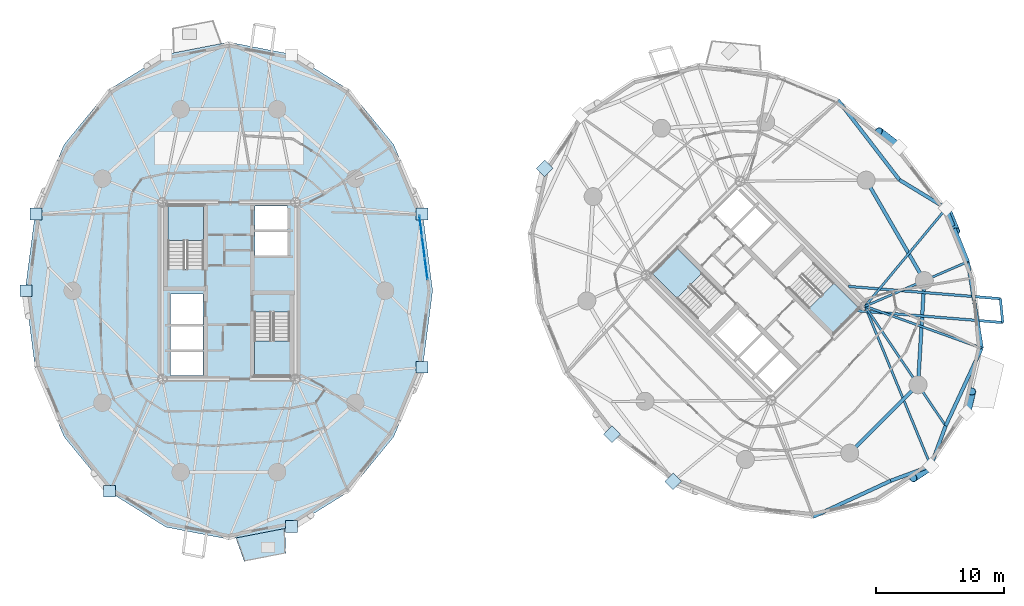
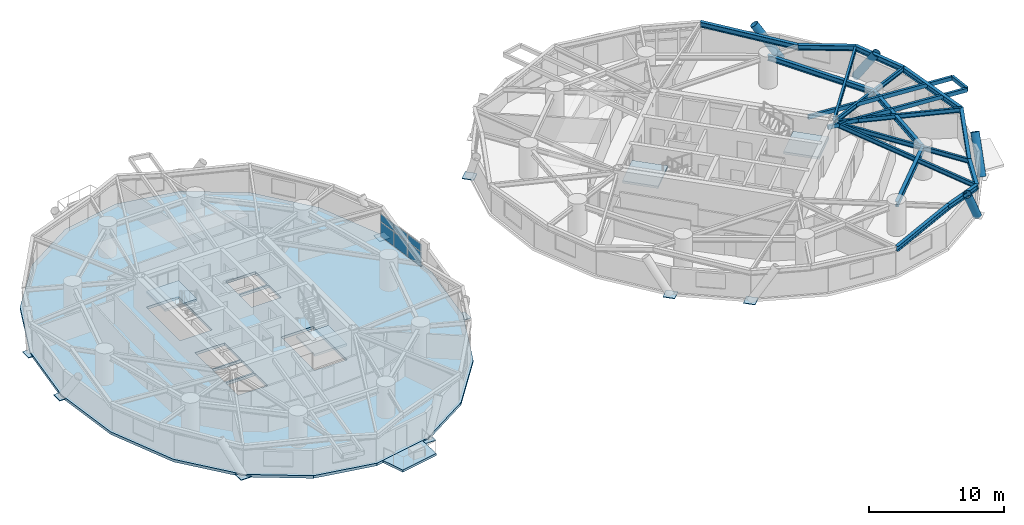
# One storey, part 8 of 18: 19 beams, 15 plates, 6 slabs, 4 members, 5 elements without a shape of their own.
"""IFC4 building model written with IfcOpenShell, lengths in metres."""

from ifc_helpers import new_model, si_unit, direction, frame, origin, origin_2d, place, context, subcontext, project, spatial, polyline, rectangle, hollow_rectangle, hollow_circle, i_section, outline, extrude, source, transform, mapped, material, layer, layer_set, material_profile, profile_set, type_object, element, aggregate, save


model = new_model("IFC4")

# Units and contexts
model_context = context("Model", 3, precision=1e-05, world=origin(), true_north=direction((0.0, 1.0)))
body_context = subcontext(model_context, "Body", "Model", "MODEL_VIEW")
ifc_project = project(units=[si_unit("LENGTHUNIT", "METRE"), si_unit("AREAUNIT", "SQUARE_METRE"), si_unit("VOLUMEUNIT", "CUBIC_METRE"), si_unit("PLANEANGLEUNIT", "RADIAN"), si_unit("MASSUNIT", "GRAM", prefix="KILO")], contexts=[model_context])

# Site, building, storey
site_placement = place(None, origin())
site = spatial("IfcSite", under=ifc_project, at=site_placement, CompositionType="ELEMENT")
building_placement = place(site_placement, origin())
building = spatial("IfcBuilding", under=site, at=building_placement, Name="Cununo Teusaquillo Station Towers", CompositionType="ELEMENT")
storey_placement = place(building_placement, frame((0.0, 0.0, 110.889892578125)))
storey = spatial("IfcBuildingStorey", under=building, at=storey_placement, Name="L35", CompositionType="ELEMENT", Elevation=110.889892578125)

# Beams
ifc_material_1 = material(Name="Steel EN 10025-2 S355J2", Category="steel")
ifc_material_profile_1 = material_profile(ifc_material_1, hollow_rectangle(XDim=0.199951171875, YDim=0.35009765625, WallThickness=0.013916015625, at=origin_2d()), Name="RHS 350x200x14")
ifc_profile_set_1 = profile_set([ifc_material_profile_1], Name="Steel EN 10025-2 S355J2")
beam_type_1 = type_object("IfcBeamType", Name="BM-BAL-CANT", PredefinedType="BEAM", material=ifc_profile_set_1)
beam_1_placement = place(storey_placement, frame((65.349609375, 22.945068359375, 2.4951171875), z_axis=(0.996745262171, -0.080615645749, 0.0), x_axis=(0.080615645749, 0.996745262171, 0.0)))
element("IfcBeam", 1, at=beam_1_placement, inside=storey, type_object=beam_type_1, Name="L35 Tower B Balcony Cantilever Bracket 2A", PredefinedType="BEAM", context=body_context, shape_type="SweptSolid", body=[
    extrude(hollow_rectangle(XDim=0.199951171875, YDim=0.35009765625, WallThickness=0.013916015625, at=origin_2d()), origin(), (0.0, 0.0, 1.0), 11.42626953125),
])
beam_2_placement = place(storey_placement, frame((64.73095703125, 24.835205078125, 2.4951171875), z_axis=(0.996743683159, -0.080635166538, 0.0), x_axis=(0.080635166538, 0.996743683159, 0.0)))
element("IfcBeam", 2, at=beam_2_placement, inside=storey, type_object=beam_type_1, Name="L35 Tower B Balcony Cantilever Bracket 2B", PredefinedType="BEAM", context=body_context, shape_type="SweptSolid", body=[
    extrude(hollow_rectangle(XDim=0.199951171875, YDim=0.35009765625, WallThickness=0.013916015625, at=origin_2d()), origin(), (0.0, 0.0, 1.0), 11.862548828125),
])
ifc_material_2 = material(Name="Steel ASTM A572 Grade 50", Category="steel")
ifc_material_profile_2 = material_profile(ifc_material_2, i_section(OverallWidth=0.180908203125, OverallDepth=0.4169921875, WebThickness=0.010986328125, FlangeThickness=0.018310546875, FilletRadius=0.012939453125, at=origin_2d()), Name="W16X57")
ifc_profile_set_2 = profile_set([ifc_material_profile_2], Name="Steel ASTM A572 Grade 50")
beam_type_2 = type_object("IfcBeamType", Name="BM-JOIST-1", PredefinedType="JOIST", material=ifc_profile_set_2)
beam_3_placement = place(storey_placement, frame((66.024169921875, 23.29443359375, 2.461669921875), z_axis=(0.380485864505, -0.924786735908, 0.0), x_axis=(0.924786735908, 0.380485864505, 0.0)))
element("IfcBeam", 3, at=beam_3_placement, inside=storey, type_object=beam_type_2, Name="L35 Tower B Radial Spandrel Joist V15", PredefinedType="JOIST", context=body_context, shape_type="SweptSolid", body=[
    extrude(i_section(OverallWidth=0.180908203125, OverallDepth=0.4169921875, WebThickness=0.010986328125, FlangeThickness=0.018310546875, FilletRadius=0.012939453125, at=origin_2d()), origin(), (0.0, 0.0, 1.0), 13.44580078125),
])
beam_4_placement = place(storey_placement, frame((66.024169921875, 23.29443359375, 2.461669921875), z_axis=(0.941082771055, -0.338176312038, 0.0), x_axis=(0.338176312038, 0.941082771055, 0.0)))
element("IfcBeam", 4, at=beam_4_placement, inside=storey, type_object=beam_type_2, Name="L35 Tower B Radial Spandrel Joist V17", PredefinedType="JOIST", context=body_context, shape_type="SweptSolid", body=[
    extrude(i_section(OverallWidth=0.180908203125, OverallDepth=0.4169921875, WebThickness=0.010986328125, FlangeThickness=0.018310546875, FilletRadius=0.012939453125, at=origin_2d()), origin(), (0.0, 0.0, 1.0), 9.646484375),
])
beam_5_placement = place(storey_placement, frame((66.024169921875, 23.29443359375, 2.461669921875), z_axis=(0.638372238196, 0.769727799615, 0.0), x_axis=(-0.769727799615, 0.638372238196, 0.0)))
element("IfcBeam", 5, at=beam_5_placement, inside=storey, type_object=beam_type_2, Name="L35 Tower B Radial Spandrel Joist V19", PredefinedType="JOIST", context=body_context, shape_type="SweptSolid", body=[
    extrude(i_section(OverallWidth=0.180908203125, OverallDepth=0.4169921875, WebThickness=0.010986328125, FlangeThickness=0.018310546875, FilletRadius=0.012939453125, at=origin_2d()), origin(), (0.0, 0.0, 1.0), 9.895263671875),
])
ifc_material_3 = material(Name="Steel ASTM A572 Grade 50", Category="steel")
ifc_material_profile_3 = material_profile(ifc_material_3, i_section(OverallWidth=0.180908203125, OverallDepth=0.4169921875, WebThickness=0.010986328125, FlangeThickness=0.018310546875, FilletRadius=0.012939453125, at=origin_2d()), Name="W16X57")
ifc_profile_set_3 = profile_set([ifc_material_profile_3], Name="Steel ASTM A572 Grade 50")
beam_type_3 = type_object("IfcBeamType", Name="BM-RAD-G2", PredefinedType="BEAM", material=ifc_profile_set_3)
beam_6_placement = place(storey_placement, frame((66.024169921875, 23.29443359375, 2.461669921875), z_axis=(0.558572297481, -0.82945583878, 0.0), x_axis=(0.82945583878, 0.558572297481, 0.0)))
element("IfcBeam", 6, at=beam_6_placement, inside=storey, type_object=beam_type_3, Name="L35 Tower B Continuous Overhanging Radial Girder 09", PredefinedType="BEAM", context=body_context, shape_type="SweptSolid", body=[
    extrude(i_section(OverallWidth=0.180908203125, OverallDepth=0.4169921875, WebThickness=0.010986328125, FlangeThickness=0.018310546875, FilletRadius=0.012939453125, at=origin_2d()), origin(), (0.0, 0.0, 1.0), 11.22998046875),
])
beam_7_placement = place(storey_placement, frame((66.024169921875, 23.29443359375, 2.461669921875), z_axis=(0.917654733344, 0.397378648609, 0.0), x_axis=(-0.397378648609, 0.917654733344, 0.0)))
element("IfcBeam", 7, at=beam_7_placement, inside=storey, type_object=beam_type_3, Name="L35 Tower B Continuous Overhanging Radial Girder 10", PredefinedType="BEAM", context=body_context, shape_type="SweptSolid", body=[
    extrude(i_section(OverallWidth=0.180908203125, OverallDepth=0.4169921875, WebThickness=0.010986328125, FlangeThickness=0.018310546875, FilletRadius=0.012939453125, at=origin_2d()), origin(), (0.0, 0.0, 1.0), 8.71484375),
])
ifc_material_4 = material(Name="Steel ASTM A572 Grade 50", Category="steel")
ifc_material_profile_4 = material_profile(ifc_material_4, i_section(OverallWidth=0.280029296875, OverallDepth=0.462890625, WebThickness=0.0107421875, FlangeThickness=0.017333984375, FilletRadius=0.013916015625, at=origin_2d()), Name="W18X76")
ifc_profile_set_4 = profile_set([ifc_material_profile_4], Name="Steel ASTM A572 Grade 50")
beam_type_4 = type_object("IfcBeamType", Name="BM-RING-Z2", PredefinedType="SPANDREL", material=ifc_profile_set_4)
beam_8_placement = place(storey_placement, frame((64.826904296875, 11.853759765625, 2.438720703125), z_axis=(0.707106781187, 0.707106781187, 0.0), x_axis=(-0.707106781187, 0.707106781187, 0.0)))
element("IfcBeam", 8, at=beam_8_placement, inside=storey, type_object=beam_type_4, Name="L35 Tower B Structural Column Ring Girder 08", PredefinedType="SPANDREL", context=body_context, shape_type="SweptSolid", body=[
    extrude(i_section(OverallWidth=0.280029296875, OverallDepth=0.462890625, WebThickness=0.0107421875, FlangeThickness=0.017333984375, FilletRadius=0.013916015625, at=origin_2d()), origin(), (0.0, 0.0, 1.0), 7.522705078125),
])
beam_9_placement = place(storey_placement, frame((70.146240234375, 17.173095703125, 2.438720703125), z_axis=(0.06012979176, 0.998190567048, 0.0), x_axis=(-0.998190567048, 0.06012979176, 0.0)))
element("IfcBeam", 9, at=beam_9_placement, inside=storey, type_object=beam_type_4, Name="L35 Tower B Structural Column Ring Girder 09", PredefinedType="SPANDREL", context=body_context, shape_type="SweptSolid", body=[
    extrude(i_section(OverallWidth=0.280029296875, OverallDepth=0.462890625, WebThickness=0.0107421875, FlangeThickness=0.017333984375, FilletRadius=0.013916015625, at=origin_2d()), origin(), (0.0, 0.0, 1.0), 8.132568359375),
])
beam_10_placement = place(storey_placement, frame((70.63525390625, 25.291015625, 2.438720703125), z_axis=(-0.501311121078, 0.865267103202, 0.0), x_axis=(-0.865267103202, -0.501311121078, 0.0)))
element("IfcBeam", 10, at=beam_10_placement, inside=storey, type_object=beam_type_4, Name="L35 Tower B Structural Column Ring Girder 10", PredefinedType="SPANDREL", context=body_context, shape_type="SweptSolid", body=[
    extrude(i_section(OverallWidth=0.280029296875, OverallDepth=0.462890625, WebThickness=0.0107421875, FlangeThickness=0.017333984375, FilletRadius=0.013916015625, at=origin_2d()), origin(), (0.0, 0.0, 1.0), 9.032958984375),
])
beam_11_placement = place(storey_placement, frame((68.694580078125, 33.12890625, 2.438720703125), z_axis=(-0.610100441726, 0.792324082056, 0.0), x_axis=(-0.792324082056, -0.610100441726, 0.0)))
element("IfcBeam", 11, at=beam_11_placement, inside=storey, type_object=beam_type_4, Name="L35 Tower B Spandrel Ring Beam 01", PredefinedType="SPANDREL", context=body_context, shape_type="SweptSolid", body=[
    extrude(i_section(OverallWidth=0.280029296875, OverallDepth=0.462890625, WebThickness=0.0107421875, FlangeThickness=0.017333984375, FilletRadius=0.013916015625, at=origin_2d()), origin(), (0.0, 0.0, 1.0), 7.84033203125),
])
beam_12_placement = place(storey_placement, frame((61.9677734375, 6.897705078125, 2.438720703125), z_axis=(0.907275870354, 0.420535961689, 0.0), x_axis=(-0.420535961689, 0.907275870354, 0.0)))
element("IfcBeam", 12, at=beam_12_placement, inside=storey, type_object=beam_type_4, Name="L35 Tower B Spandrel Ring Beam 14", PredefinedType="SPANDREL", context=body_context, shape_type="SweptSolid", body=[
    extrude(i_section(OverallWidth=0.280029296875, OverallDepth=0.462890625, WebThickness=0.0107421875, FlangeThickness=0.017333984375, FilletRadius=0.013916015625, at=origin_2d()), origin(), (0.0, 0.0, 1.0), 6.671142578125),
])
for number, where, z_axis, x_axis, name in (
    (13, (68.020263671875, 9.703125, 2.438720703125), (0.937628334414, 0.347639333943, 0.0), (-0.347639333943, 0.937628334414, 0.0), "L35 Tower B Spandrel Ring Beam 15"),
    (14, (71.14013671875, 10.85986328125, 2.438720703125), (0.347639333943, 0.937628334414, 0.0), (-0.937628334414, 0.347639333943, 0.0), "L35 Tower B Spandrel Ring Beam 16"),
):
    element("IfcBeam", number, at=place(storey_placement, frame(where, z_axis=z_axis, x_axis=x_axis)), inside=storey, type_object=beam_type_4, Name=name, PredefinedType="SPANDREL", context=body_context, shape_type="SweptSolid", body=[
        extrude(i_section(OverallWidth=0.280029296875, OverallDepth=0.462890625, WebThickness=0.0107421875, FlangeThickness=0.017333984375, FilletRadius=0.013916015625, at=origin_2d()), origin(), (0.0, 0.0, 1.0), 3.327392578125),
    ])
beam_13_placement = place(storey_placement, frame((72.296875, 13.979736328125, 2.438720703125), z_axis=(0.420535961689, 0.907275870354, 0.0), x_axis=(-0.907275870354, 0.420535961689, 0.0)))
element("IfcBeam", 15, at=beam_13_placement, inside=storey, type_object=beam_type_4, Name="L35 Tower B Spandrel Ring Beam 17", PredefinedType="SPANDREL", context=body_context, shape_type="SweptSolid", body=[
    extrude(i_section(OverallWidth=0.280029296875, OverallDepth=0.462890625, WebThickness=0.0107421875, FlangeThickness=0.017333984375, FilletRadius=0.013916015625, at=origin_2d()), origin(), (0.0, 0.0, 1.0), 6.671142578125),
])
beam_14_placement = place(storey_placement, frame((75.102294921875, 20.0322265625, 2.438720703125), z_axis=(-0.158671232312, 0.987331474246, 0.0), x_axis=(-0.987331474246, -0.158671232312, 0.0)))
element("IfcBeam", 16, at=beam_14_placement, inside=storey, type_object=beam_type_4, Name="L35 Tower B Spandrel Ring Beam 18", PredefinedType="SPANDREL", context=body_context, shape_type="SweptSolid", body=[
    extrude(i_section(OverallWidth=0.280029296875, OverallDepth=0.462890625, WebThickness=0.0107421875, FlangeThickness=0.017333984375, FilletRadius=0.013916015625, at=origin_2d()), origin(), (0.0, 0.0, 1.0), 6.8115234375),
])
beam_15_placement = place(storey_placement, frame((74.021484375, 26.757568359375, 2.438720703125), z_axis=(-0.375042266631, 0.927007712072, 0.0), x_axis=(-0.927007712072, -0.375042266631, 0.0)))
element("IfcBeam", 17, at=beam_15_placement, inside=storey, type_object=beam_type_4, Name="L35 Tower B Spandrel Ring Beam 19", PredefinedType="SPANDREL", context=body_context, shape_type="SweptSolid", body=[
    extrude(i_section(OverallWidth=0.280029296875, OverallDepth=0.462890625, WebThickness=0.0107421875, FlangeThickness=0.017333984375, FilletRadius=0.013916015625, at=origin_2d()), origin(), (0.0, 0.0, 1.0), 4.480712890625),
])
beam_16_placement = place(storey_placement, frame((72.341064453125, 30.9111328125, 2.438720703125), z_axis=(-0.854388492444, 0.519634779416, 0.0), x_axis=(-0.519634779416, -0.854388492444, 0.0)))
element("IfcBeam", 18, at=beam_16_placement, inside=storey, type_object=beam_type_4, Name="L35 Tower B Spandrel Ring Beam 20", PredefinedType="SPANDREL", context=body_context, shape_type="SweptSolid", body=[
    extrude(i_section(OverallWidth=0.280029296875, OverallDepth=0.462890625, WebThickness=0.0107421875, FlangeThickness=0.017333984375, FilletRadius=0.013916015625, at=origin_2d()), origin(), (0.0, 0.0, 1.0), 4.26806640625),
])
ifc_material_5 = material(Name="Steel EN 10025-2 S355J2", Category="steel")
ifc_material_profile_5 = material_profile(ifc_material_5, hollow_rectangle(XDim=0.199951171875, YDim=0.35009765625, WallThickness=0.013916015625, at=origin_2d()), Name="RHS 350x200x14")
ifc_profile_set_5 = profile_set([ifc_material_profile_5], Name="Steel EN 10025-2 S355J2")
beam_type_5 = type_object("IfcBeamType", Name="BM-STAIR-TRIM", PredefinedType="BEAM", material=ifc_profile_set_5)
beam_17_placement = place(storey_placement, frame((76.73876953125, 22.02392578125, 2.525146484375), z_axis=(-0.098634743912, 0.995123704518, 0.0), x_axis=(-0.995123704518, -0.098634743912, 0.0)))
element("IfcBeam", 19, at=beam_17_placement, inside=storey, type_object=beam_type_5, Name="L35 Tower B Balcony Edge Trimmer Beam 2", PredefinedType="BEAM", context=body_context, shape_type="SweptSolid", body=[
    extrude(hollow_rectangle(XDim=0.199951171875, YDim=0.35009765625, WallThickness=0.013916015625, at=origin_2d()), origin(), (0.0, 0.0, 1.0), 1.86376953125),
])

# Members
ifc_material_6 = material(Name="Steel EN 10025-2 S355J2", Category="steel")
ifc_material_profile_6 = material_profile(ifc_material_6, hollow_circle(Radius=0.330078125, WallThickness=0.02490234375, at=origin_2d()), Name="CHS 660x25")
ifc_profile_set_6 = profile_set([ifc_material_profile_6], Name="Steel EN 10025-2 S355J2")
member_type = type_object("IfcMemberType", Name="MBR-DIAG-Z2", PredefinedType="BRACE", material=ifc_profile_set_6)
member_1_placement = place(storey_placement, frame((68.673095703125, 35.673095703125, -0.139892578125), z_axis=(-0.449302990414, 0.34606419194, 0.823630012726), x_axis=(-0.610205273886, -0.792243348803, 0.0)))
element("IfcMember", 20, at=member_1_placement, inside=storey, type_object=member_type, Name="L35 Tower B Folded-Zigzag Diagrid Tube C00", PredefinedType="BRACE", context=body_context, shape_type="SweptSolid", body=[
    extrude(hollow_circle(Radius=0.330078125, WallThickness=0.02490234375, at=origin_2d()), origin(), (0.0, 0.0, 1.0), 3.532958984375),
])
member_2_placement = place(storey_placement, frame((71.14013671875, 10.85986328125, -0.139892578125), z_axis=(-0.410124934173, -0.277231625428, 0.868872927552), x_axis=(0.560024081213, -0.828476329452, 0.0)))
element("IfcMember", 21, at=member_2_placement, inside=storey, type_object=member_type, Name="L35 Tower B Folded-Zigzag Diagrid Tube C14", PredefinedType="BRACE", context=body_context, shape_type="SweptSolid", body=[
    extrude(hollow_circle(Radius=0.330078125, WallThickness=0.02490234375, at=origin_2d()), origin(), (0.0, 0.0, 1.0), 3.34912109375),
])
member_3_placement = place(storey_placement, frame((73.92529296875, 14.980224609375, -0.139892578125), z_axis=(0.115906612964, 0.49752571016, 0.859670765352), x_axis=(-0.973920299704, 0.226890391653, 0.0)))
element("IfcMember", 22, at=member_3_placement, inside=storey, type_object=member_type, Name="L35 Tower B Folded-Zigzag Diagrid Tube C16", PredefinedType="BRACE", context=body_context, shape_type="SweptSolid", body=[
    extrude(hollow_circle(Radius=0.330078125, WallThickness=0.02490234375, at=origin_2d()), origin(), (0.0, 0.0, 1.0), 3.385009765625),
])
member_4_placement = place(storey_placement, frame((72.341064453125, 30.9111328125, -0.139892578125), z_axis=(0.211085752623, -0.513514067291, 0.831712755543), x_axis=(0.924906987989, 0.380193455452, 0.0)))
element("IfcMember", 23, at=member_4_placement, inside=storey, type_object=member_type, Name="L35 Tower B Folded-Zigzag Diagrid Tube C18", PredefinedType="BRACE", context=body_context, shape_type="SweptSolid", body=[
    extrude(hollow_circle(Radius=0.330078125, WallThickness=0.02490234375, at=origin_2d()), origin(), (0.0, 0.0, 1.0), 3.498779296875),
])

# Slab
ifc_material_7 = material(Name="Concrete C50/60", Category="concrete")
ifc_layer_1 = layer(ifc_material_7, 0.2099609375)
ifc_layer_set_1 = layer_set([ifc_layer_1], Name="Concrete C50/60")
slab_type_1 = type_object("IfcSlabType", Name="SLB-BAL-210", PredefinedType="FLOOR", material=ifc_layer_set_1)
slab_1_placement = place(storey_placement, frame((0.0, 0.0, -0.2099609375)))
element("IfcSlab", 24, at=slab_1_placement, inside=storey, type_object=slab_type_1, Name="L35 Tower A Tree Balcony Slab 2", PredefinedType="FLOOR", context=body_context, shape_type="SweptSolid", body=[
    extrude(outline(polyline([(17.041015625, 5.24951171875), (20.8623046875, 5.98779296875), (20.930908203125, 4.05078125), (17.69873046875, 3.426025390625), (17.041015625, 5.24951171875)])), origin(), (0.0, 0.0, 1.0), 0.2099609375),
])

# Stair, slab
ifc_material_8 = material(Name="Concrete C50/60", Category="concrete")
stair_type = type_object("IfcStairType", Name="ST-TWR-1300", PredefinedType="HALF_TURN_STAIR", material=ifc_material_8)
stair_1_placement = place(storey_placement, origin())
stair_1 = element("IfcStair", 25, at=stair_1_placement, inside=storey, type_object=stair_type, Name="L35 Tower A Protected Core Exit Stair 1", PredefinedType="HALF_TURN_STAIR")
ifc_material_9 = material(Name="Concrete C50/60", Category="concrete")
ifc_layer_2 = layer(ifc_material_9, 0.199951171875)
ifc_layer_set_2 = layer_set([ifc_layer_2], Name="Concrete C50/60")
slab_type_2 = type_object("IfcSlabType", Name="SLB-STAIR-LND", PredefinedType="LANDING", material=ifc_layer_set_2)
slab_2_placement = place(storey_placement, frame((0.0, 0.0, 1.255126953125)))
slab_2 = element("IfcSlab", 26, at=slab_2_placement, type_object=slab_type_2, Name="ST-T1-1 landing 1", PredefinedType="LANDING", context=body_context, shape_type="SweptSolid", body=[
    extrude(outline(polyline([(14.52001953125, 28.409912109375), (14.52001953125, 31.159912109375), (11.760009765625, 31.159912109375), (11.760009765625, 28.409912109375), (14.52001953125, 28.409912109375)])), origin(), (0.0, 0.0, 1.0), 0.199951171875),
])
aggregate(stair_1, [slab_2])

stair_2_placement = place(storey_placement, origin())
stair_2 = element("IfcStair", 27, at=stair_2_placement, inside=storey, type_object=stair_type, Name="L35 Tower A Protected Core Exit Stair 2", PredefinedType="HALF_TURN_STAIR")
slab_3_placement = place(storey_placement, frame((0.0, 0.0, 1.255126953125)))
slab_3 = element("IfcSlab", 28, at=slab_3_placement, type_object=slab_type_2, Name="ST-T1-2 landing 1", PredefinedType="LANDING", context=body_context, shape_type="SweptSolid", body=[
    extrude(outline(polyline([(18.47998046875, 20.590087890625), (18.47998046875, 17.840087890625), (21.239990234375, 17.840087890625), (21.239990234375, 20.590087890625), (18.47998046875, 20.590087890625)])), origin(), (0.0, 0.0, 1.0), 0.199951171875),
])
aggregate(stair_2, [slab_3])

stair_3_placement = place(storey_placement, origin())
stair_3 = element("IfcStair", 29, at=stair_3_placement, inside=storey, type_object=stair_type, Name="L35 Tower B Protected Core Exit Stair 1", PredefinedType="HALF_TURN_STAIR")
slab_4_placement = place(storey_placement, frame((0.0, 0.0, 1.255126953125)))
slab_4 = element("IfcSlab", 30, at=slab_4_placement, type_object=slab_type_2, Name="ST-T2-1 landing 1", PredefinedType="LANDING", context=body_context, shape_type="SweptSolid", body=[
    extrude(outline(polyline([(53.335205078125, 25.86474609375), (51.390625, 27.809326171875), (49.43896484375, 25.857666015625), (51.383544921875, 23.9130859375), (53.335205078125, 25.86474609375)])), origin(), (0.0, 0.0, 1.0), 0.199951171875),
])
aggregate(stair_3, [slab_4])

stair_4_placement = place(storey_placement, origin())
stair_4 = element("IfcStair", 31, at=stair_4_placement, inside=storey, type_object=stair_type, Name="L35 Tower B Protected Core Exit Stair 2", PredefinedType="HALF_TURN_STAIR")
slab_5_placement = place(storey_placement, frame((0.0, 0.0, 1.255126953125)))
slab_5 = element("IfcSlab", 32, at=slab_5_placement, type_object=slab_type_2, Name="ST-T2-2 landing 1", PredefinedType="LANDING", context=body_context, shape_type="SweptSolid", body=[
    extrude(outline(polyline([(61.664794921875, 23.13525390625), (63.609375, 21.190673828125), (65.56103515625, 23.142333984375), (63.616455078125, 25.0869140625), (61.664794921875, 23.13525390625)])), origin(), (0.0, 0.0, 1.0), 0.199951171875),
])
aggregate(stair_4, [slab_5])

# Slab
ifc_material_10 = material(Name="Concrete C40/50", Category="concrete")
ifc_layer_3 = layer(ifc_material_10, 0.239990234375)
ifc_layer_set_3 = layer_set([ifc_layer_3], Name="Concrete C40/50")
slab_type_3 = type_object("IfcSlabType", Name="SLB-Z2-240", PredefinedType="FLOOR", material=ifc_layer_set_3)
slab_6_placement = place(storey_placement, frame((0.0, 0.0, -0.239990234375)))
element("IfcSlab", 33, at=slab_6_placement, inside=storey, type_object=slab_type_3, Name="L35 Tower A Floor Slab", PredefinedType="FLOOR", context=body_context, shape_type="SweptSolid", body=[
    extrude(outline(polyline([(32.361083984375, 24.5), (31.584716796875, 30.4794921875), (29.331787109375, 35.87353515625), (25.822998046875, 40.154541015625), (21.4013671875, 42.90283203125), (16.5, 43.85009765625), (11.5986328125, 42.90283203125), (7.177001953125, 40.154541015625), (3.668212890625, 35.87353515625), (1.415283203125, 30.4794921875), (0.638916015625, 24.5), (1.415283203125, 18.5205078125), (3.668212890625, 13.12646484375), (7.177001953125, 8.845458984375), (11.5986328125, 6.09716796875), (16.5, 5.14990234375), (21.4013671875, 6.09716796875), (25.822998046875, 8.845458984375), (29.331787109375, 13.12646484375), (31.584716796875, 18.5205078125), (32.361083984375, 24.5)]), holes=[polyline([(14.52001953125, 26.176025390625), (14.52001953125, 31.159912109375), (11.760009765625, 31.159912109375), (11.760009765625, 26.176025390625), (14.52001953125, 26.176025390625)]), polyline([(18.47998046875, 22.823974609375), (18.47998046875, 17.840087890625), (21.239990234375, 17.840087890625), (21.239990234375, 22.823974609375), (18.47998046875, 22.823974609375)]), polyline([(11.949951171875, 21.85009765625), (14.47998046875, 21.85009765625), (14.47998046875, 24.25), (11.949951171875, 24.25), (11.949951171875, 21.85009765625)]), polyline([(11.949951171875, 17.89990234375), (14.47998046875, 17.89990234375), (14.47998046875, 19.75), (11.949951171875, 19.75), (11.949951171875, 17.89990234375)]), polyline([(11.949951171875, 19.89990234375), (14.47998046875, 19.89990234375), (14.47998046875, 21.75), (11.949951171875, 21.75), (11.949951171875, 19.89990234375)]), polyline([(18.52001953125, 27.25), (21.050048828125, 27.25), (21.050048828125, 29.10009765625), (18.52001953125, 29.10009765625), (18.52001953125, 27.25)]), polyline([(18.52001953125, 29.25), (21.050048828125, 29.25), (21.050048828125, 31.10009765625), (18.52001953125, 31.10009765625), (18.52001953125, 29.25)])]), origin(), (0.0, 0.0, 1.0), 0.239990234375),
])

# Plates
ifc_material_11 = material(Name="Steel ASTM A572 Grade 50", Category="steel")
ifc_layer_4 = layer(ifc_material_11, 0.050048828125)
ifc_layer_set_4 = layer_set([ifc_layer_4], Name="Steel ASTM A572 Grade 50")
plate_type_1 = type_object("IfcPlateType", Name="PLT-NODE-DN1", PredefinedType="USERDEFINED", material=ifc_layer_set_4)
shared_shape_1 = source(origin(), body_context, "Body", "SweptSolid", [
    extrude(rectangle(XDim=0.919921875, YDim=0.919921875, at=origin_2d()), origin(), (0.0, 0.0, 1.0), 0.050048828125),
])
for number, where, z_axis, x_axis, name in (
    (34, (31.527587890625, 30.4609375, -0.1650390625), (0.0, 0.0, 1.0), (1.0, 0.0, 0.0), "L35 Tower A Diagrid Node Assembly C01"),
    (35, (1.472412109375, 30.4609375, -0.1650390625), (0.0, 0.0, 1.0), (1.0, 0.0, 0.0), "L35 Tower A Diagrid Node Assembly C08"),
    (36, (0.698974609375, 24.5, -0.1650390625), (0.0, 0.0, 1.0), (1.0, 0.0, 0.0), "L35 Tower A Diagrid Node Assembly C10"),
    (37, (7.21240234375, 8.89404296875, -0.1650390625), (0.0, 0.0, 1.0), (1.0, 0.0, 0.0), "L35 Tower A Diagrid Node Assembly C12"),
    (38, (21.3828125, 6.154052734375, -0.1650390625), (0.0, 0.0, 1.0), (1.0, 0.0, 0.0), "L35 Tower A Diagrid Node Assembly C16"),
    (39, (31.527587890625, 18.5390625, -0.1650390625), (0.0, 0.0, 1.0), (1.0, 0.0, 0.0), "L35 Tower A Diagrid Node Assembly C18"),
    (40, (41.07470703125, 34.019775390625, -0.1650390625), (0.0, 0.0, 1.0), (0.707106781187, 0.707106781187, 0.0), "L35 Tower B Diagrid Node Assembly C06"),
    (41, (46.326904296875, 13.326904296875, -0.1650390625), (0.0, 0.0, 1.0), (0.707106781187, 0.707106781187, 0.0), "L35 Tower B Diagrid Node Assembly C09"),
    (42, (51.0888671875, 9.658935546875, -0.1650390625), (0.0, 0.0, 1.0), (0.707106781187, 0.707106781187, 0.0), "L35 Tower B Diagrid Node Assembly C11"),
):
    element("IfcPlate", number, at=place(storey_placement, frame(where, z_axis=z_axis, x_axis=x_axis)), inside=storey, type_object=plate_type_1, Name=name, ObjectType="GUSSET PLATE", PredefinedType="USERDEFINED", context=body_context, shape_type="MappedRepresentation", body=[
        mapped(shared_shape_1, transform((0.0, 0.0, 0.0), x_axis=(1.0, 0.0, 0.0), y_axis=(0.0, 1.0, 0.0), z_axis=(0.0, 0.0, 1.0), scale=1.0)),
    ])

# Curtain wall, plates
ifc_material_12 = material(Name="Ceramic-fritted dark low-E double glazing", Category="glass")
ifc_layer_5 = layer(ifc_material_12, 0.179931640625)
ifc_layer_set_5 = layer_set([ifc_layer_5], Name="Ceramic-fritted dark low-E double glazing")
curtain_wall_type = type_object("IfcCurtainWallType", Name="CW-SYS-04", PredefinedType="USERDEFINED", material=ifc_layer_set_5)
curtain_wall_placement = place(storey_placement, origin())
curtain_wall = element("IfcCurtainWall", 43, at=curtain_wall_placement, inside=storey, type_object=curtain_wall_type, Name="L35 Tower A Facade Curtain Wall C00", ObjectType="FRITTED GLAZING", PredefinedType="USERDEFINED")
ifc_material_13 = material(Name="Ceramic-fritted dark low-E double glazing", Category="glass")
ifc_layer_6 = layer(ifc_material_13, 0.028076171875)
ifc_layer_set_6 = layer_set([ifc_layer_6], Name="Ceramic-fritted dark low-E double glazing")
plate_type_2 = type_object("IfcPlateType", Name="CWP-FRIT-28", PredefinedType="CURTAIN_PANEL", material=ifc_layer_set_6)
shared_shape_2 = source(origin(), body_context, "Body", "SweptSolid", [
    extrude(rectangle(XDim=1.59228515625, YDim=0.028076171875, at=origin_2d()), origin(), (0.0, 0.0, 1.0), 1.31103515625),
])
plate_1_placement = place(storey_placement, frame((31.429443359375, 29.533935546875, 0.070068359375), z_axis=(0.0, 0.0, 1.0), x_axis=(0.128335852387, -0.991730764367, 0.0)))
plate_1 = element("IfcPlate", 44, at=plate_1_placement, type_object=plate_type_2, Name="CW-04 panel 1.1", PredefinedType="CURTAIN_PANEL", context=body_context, shape_type="MappedRepresentation", body=[
    mapped(shared_shape_2, transform((0.0, 0.0, 0.0), x_axis=(1.0, 0.0, 0.0), y_axis=(0.0, 1.0, 0.0), z_axis=(0.0, 0.0, 1.0), scale=1.0)),
])
plate_2_placement = place(storey_placement, frame((31.86083984375, 26.201904296875, 0.070068359375), z_axis=(0.0, 0.0, 1.0), x_axis=(0.128335852387, -0.991730764367, 0.0)))
plate_2 = element("IfcPlate", 45, at=plate_2_placement, type_object=plate_type_2, Name="CW-04 panel 3.1", PredefinedType="CURTAIN_PANEL", context=body_context, shape_type="MappedRepresentation", body=[
    mapped(shared_shape_2, transform((0.0, 0.0, 0.0), x_axis=(1.0, 0.0, 0.0), y_axis=(0.0, 1.0, 0.0), z_axis=(0.0, 0.0, 1.0), scale=1.0)),
])
shared_shape_3 = source(origin(), body_context, "Body", "SweptSolid", [
    extrude(rectangle(XDim=1.59228515625, YDim=0.028076171875, at=origin_2d()), origin(), (0.0, 0.0, 1.0), 0.657958984375),
])
plate_3_placement = place(storey_placement, frame((31.429443359375, 29.533935546875, 1.451171875), z_axis=(0.0, 0.0, 1.0), x_axis=(0.128335852387, -0.991730764367, 0.0)))
plate_3 = element("IfcPlate", 46, at=plate_3_placement, type_object=plate_type_2, Name="CW-04 panel 1.2", PredefinedType="CURTAIN_PANEL", context=body_context, shape_type="MappedRepresentation", body=[
    mapped(shared_shape_3, transform((0.0, 0.0, 0.0), x_axis=(1.0, 0.0, 0.0), y_axis=(0.0, 1.0, 0.0), z_axis=(0.0, 0.0, 1.0), scale=1.0)),
])
plate_4_placement = place(storey_placement, frame((31.86083984375, 26.201904296875, 1.451171875), z_axis=(0.0, 0.0, 1.0), x_axis=(0.128335852387, -0.991730764367, 0.0)))
plate_4 = element("IfcPlate", 47, at=plate_4_placement, type_object=plate_type_2, Name="CW-04 panel 3.2", PredefinedType="CURTAIN_PANEL", context=body_context, shape_type="MappedRepresentation", body=[
    mapped(shared_shape_3, transform((0.0, 0.0, 0.0), x_axis=(1.0, 0.0, 0.0), y_axis=(0.0, 1.0, 0.0), z_axis=(0.0, 0.0, 1.0), scale=1.0)),
])
shared_shape_4 = source(origin(), body_context, "Body", "SweptSolid", [
    extrude(rectangle(XDim=1.62744140625, YDim=0.028076171875, at=origin_2d()), origin(), (0.0, 0.0, 1.0), 1.31103515625),
])
plate_5_placement = place(storey_placement, frame((31.645263671875, 27.867919921875, 0.070068359375), z_axis=(0.0, 0.0, 1.0), x_axis=(0.128335852387, -0.991730764367, 0.0)))
plate_5 = element("IfcPlate", 48, at=plate_5_placement, type_object=plate_type_2, Name="CW-04 panel 2.1", PredefinedType="CURTAIN_PANEL", context=body_context, shape_type="MappedRepresentation", body=[
    mapped(shared_shape_4, transform((0.0, 0.0, 0.0), x_axis=(1.0, 0.0, 0.0), y_axis=(0.0, 1.0, 0.0), z_axis=(0.0, 0.0, 1.0), scale=1.0)),
])
shared_shape_5 = source(origin(), body_context, "Body", "SweptSolid", [
    extrude(rectangle(XDim=1.62744140625, YDim=0.028076171875, at=origin_2d()), origin(), (0.0, 0.0, 1.0), 0.657958984375),
])
plate_6_placement = place(storey_placement, frame((31.645263671875, 27.867919921875, 1.451171875), z_axis=(0.0, 0.0, 1.0), x_axis=(0.128335852387, -0.991730764367, 0.0)))
plate_6 = element("IfcPlate", 49, at=plate_6_placement, type_object=plate_type_2, Name="CW-04 panel 2.2", PredefinedType="CURTAIN_PANEL", context=body_context, shape_type="MappedRepresentation", body=[
    mapped(shared_shape_5, transform((0.0, 0.0, 0.0), x_axis=(1.0, 0.0, 0.0), y_axis=(0.0, 1.0, 0.0), z_axis=(0.0, 0.0, 1.0), scale=1.0)),
])
aggregate(curtain_wall, [plate_1, plate_3, plate_5, plate_6, plate_2, plate_4])

save(model, "model.ifc")
